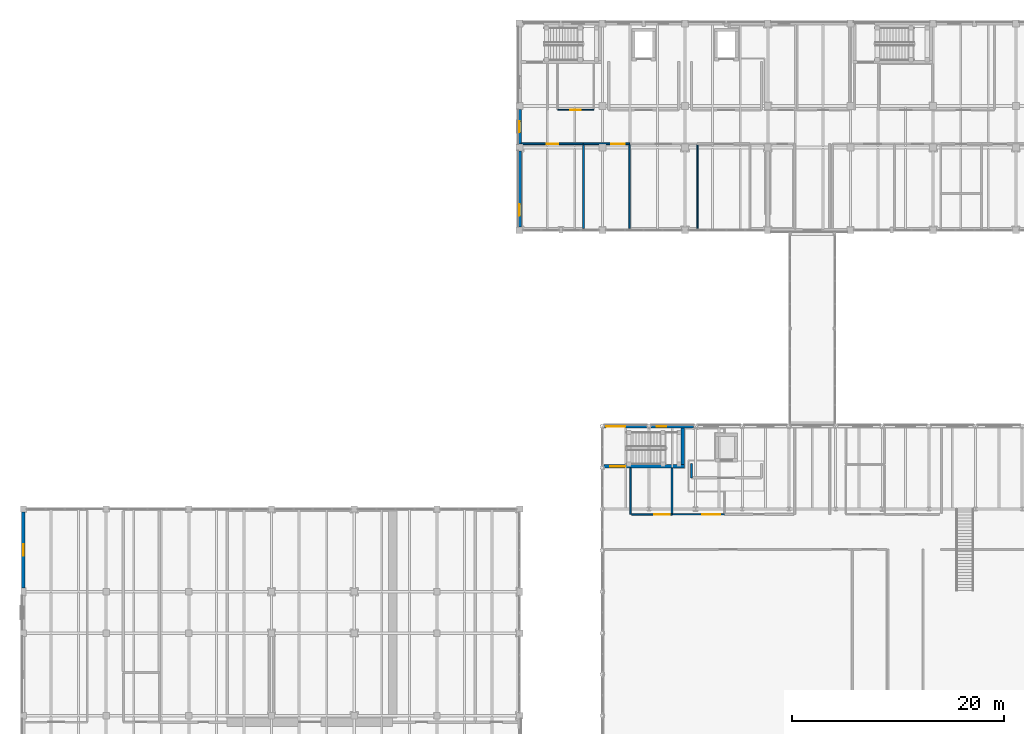
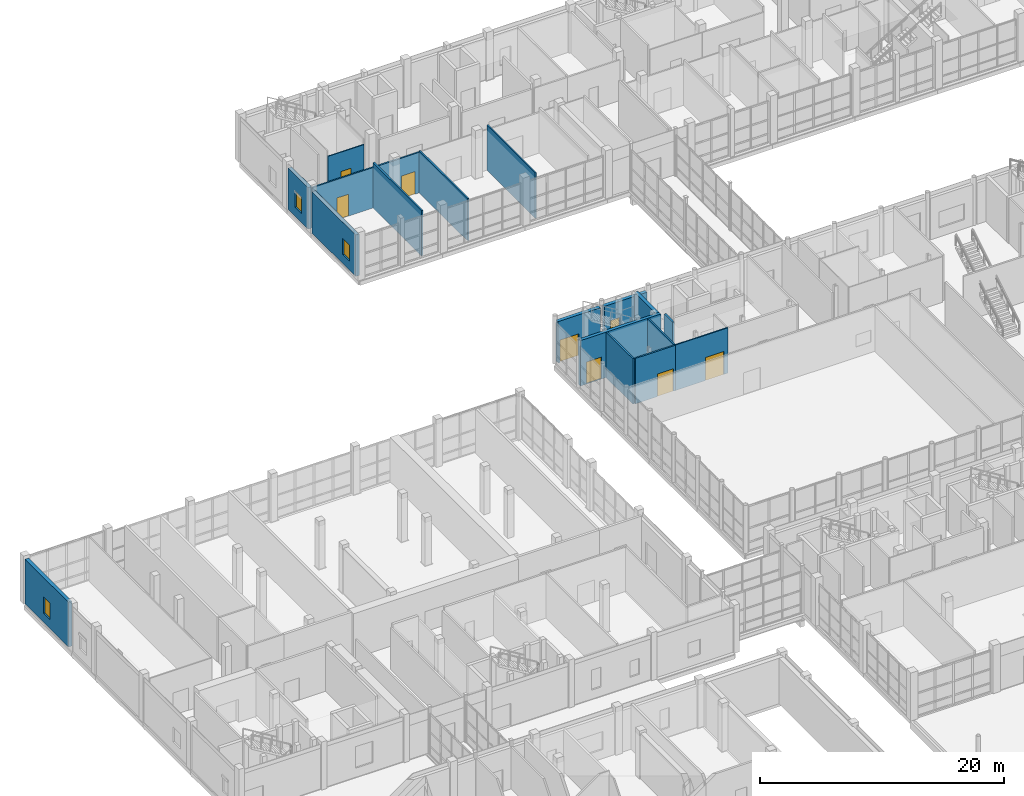
# One storey, part 97 of 131: 18 walls, 7 doors, 4 windows, 11 openings.
"""IFC4 building model written with IfcOpenShell, lengths in metres."""

from ifc_helpers import new_model, si_unit, direction, frame, frame_2d, origin, place, context, subcontext, project, spatial, rectangle, extrude, material, layer, layer_set, type_object, element, fill, save


model = new_model("IFC4")

# Units and contexts
model_context = context("Model", 3, precision=1e-05, world=origin(), true_north=direction((0.0, 1.0)))
body_context = subcontext(model_context, "Body", "Model", "MODEL_VIEW")
ifc_project = project(units=[si_unit("LENGTHUNIT", "METRE"), si_unit("AREAUNIT", "SQUARE_METRE"), si_unit("VOLUMEUNIT", "CUBIC_METRE"), si_unit("PLANEANGLEUNIT", "RADIAN"), si_unit("MASSUNIT", "GRAM", prefix="KILO")], contexts=[model_context])

# Site, building, storey
site_placement = place(None, origin())
site = spatial("IfcSite", under=ifc_project, at=site_placement, CompositionType="ELEMENT")
building_placement = place(site_placement, origin())
building = spatial("IfcBuilding", under=site, at=building_placement, Name="Celorna Specialist Clinic", CompositionType="ELEMENT")
storey_placement = place(building_placement, origin())
storey = spatial("IfcBuildingStorey", under=building, at=storey_placement, Name="L00", CompositionType="ELEMENT", Elevation=0.0)

# Wall, opening, door
ifc_material_1 = material(Name="Pero Pinheiro Lioz limestone insulated masonry", Category="masonry")
ifc_layer_1 = layer(ifc_material_1, 0.340087890625, Name="Pero Pinheiro Lioz limestone insulated masonry")
ifc_layer_set_1 = layer_set([ifc_layer_1], Name="Pero Pinheiro Lioz limestone insulated masonry")
wall_type_1 = type_object("IfcWallType", Name="WT-07", PredefinedType="STANDARD", material=ifc_layer_set_1)
wall_1_placement = place(storey_placement, frame((54.80322265625, 78.0, 0.0), z_axis=(0.0, 0.0, 1.0), x_axis=(1.0, 0.0, 0.0)))
wall_1 = element("IfcWall", 1, at=wall_1_placement, inside=storey, type_object=wall_type_1, Name="External facade wall WT-07 #80", PredefinedType="STANDARD", context=body_context, shape_type="SweptSolid", body=[
    extrude(rectangle(XDim=3.99365234375, YDim=0.340087890625, at=frame_2d((1.996826171875, 0.0))), origin(), (0.0, 0.0, 1.0), 4.139892578125),
])
opening_1_placement = place(wall_1_placement, frame((0.15673828125, 0.0, 0.0)))
opening_1 = element("IfcOpeningElement", 2, at=opening_1_placement, cuts=wall_1, Name="Opening DR-14", PredefinedType="OPENING", context=body_context, shape_type="SweptSolid", body=[
    extrude(rectangle(XDim=1.800048828125, YDim=2.25, at=frame_2d((0.89990234375, 1.125))), frame((0.0, 0.179931640625, 0.0), z_axis=(0.0, -1.0, 0.0), x_axis=(1.0, 0.0, 0.0)), (0.0, 0.0, 1.0), 0.360107421875),
])
ifc_material_2 = material(Name="Glazed aluminium final exit double door", Category="aluminium")
door_type_1 = type_object("IfcDoorType", Name="DR-14", OperationType="DOUBLE_DOOR_SINGLE_SWING", PredefinedType="DOOR", material=ifc_material_2)
door_1_placement = place(opening_1_placement, origin())
door_1 = element("IfcDoor", 3, at=door_1_placement, inside=storey, type_object=door_type_1, Name="Pedestrian final exit E10", OperationType="DOUBLE_DOOR_SINGLE_SWING", OverallHeight=2.25, OverallWidth=1.800048828125, PredefinedType="DOOR", context=body_context, shape_type="SweptSolid", body=[
    extrude(rectangle(XDim=1.800048828125, YDim=2.25, at=frame_2d((0.89990234375, 1.125))), frame((0.0, 0.02490234375, 0.0), z_axis=(0.0, -1.0, 0.0), x_axis=(1.0, 0.0, 0.0)), (0.0, 0.0, 1.0), 0.050048828125),
])
fill(opening_1, door_1)

# Wall, opening, window
wall_2_placement = place(storey_placement, frame((59.203125, 78.0, 0.0), z_axis=(0.0, 0.0, 1.0), x_axis=(1.0, 0.0, 0.0)))
wall_2 = element("IfcWall", 4, at=wall_2_placement, inside=storey, type_object=wall_type_1, Name="External facade wall WT-07 #81", PredefinedType="STANDARD", context=body_context, shape_type="SweptSolid", body=[
    extrude(rectangle(XDim=3.99365234375, YDim=0.340087890625, at=frame_2d((1.996826171875, 0.0))), origin(), (0.0, 0.0, 1.0), 4.139892578125),
])
opening_2_placement = place(wall_2_placement, frame((0.54345703125, 0.0, 0.89990234375)))
opening_2 = element("IfcOpeningElement", 5, at=opening_2_placement, cuts=wall_2, Name="Opening WN-01", PredefinedType="OPENING", context=body_context, shape_type="SweptSolid", body=[
    extrude(rectangle(XDim=0.89990234375, YDim=1.60009765625, at=frame_2d((0.449951171875, 0.800048828125))), frame((0.0, 0.179931640625, 0.0), z_axis=(0.0, -1.0, 0.0), x_axis=(1.0, 0.0, 0.0)), (0.0, 0.0, 1.0), 0.360107421875),
])
ifc_material_3 = material(Name="Thermally broken aluminium triple-glazed window", Category="aluminium")
window_type_1 = type_object("IfcWindowType", Name="WN-01", PartitioningType="SINGLE_PANEL", PredefinedType="WINDOW", material=ifc_material_3)
window_1_placement = place(opening_2_placement, origin())
window_1 = element("IfcWindow", 6, at=window_1_placement, inside=storey, type_object=window_type_1, Name="Facade window WN-01 #1", OverallHeight=1.60009765625, OverallWidth=0.89990234375, PartitioningType="SINGLE_PANEL", PredefinedType="WINDOW", context=body_context, shape_type="SweptSolid", body=[
    extrude(rectangle(XDim=0.89990234375, YDim=1.60009765625, at=frame_2d((0.449951171875, 0.800048828125))), frame((0.0, 0.030029296875, 0.0), z_axis=(0.0, -1.0, 0.0), x_axis=(1.0, 0.0, 0.0)), (0.0, 0.0, 1.0), 0.06005859375),
])
fill(opening_2, window_1)

wall_3_placement = place(storey_placement, frame((0.0, 62.77490234375, 0.0), z_axis=(0.0, 0.0, 1.0), x_axis=(0.0, 1.0, 0.0)))
wall_3 = element("IfcWall", 7, at=wall_3_placement, inside=storey, type_object=wall_type_1, Name="External facade wall WT-07 #112", PredefinedType="STANDARD", context=body_context, shape_type="SweptSolid", body=[
    extrude(rectangle(XDim=7.125, YDim=0.340087890625, at=frame_2d((3.5625, 0.0))), origin(), (0.0, 0.0, 1.0), 4.4599609375),
])
opening_3_placement = place(wall_3_placement, frame((3.03759765625, 0.0, 0.89990234375)))
opening_3 = element("IfcOpeningElement", 8, at=opening_3_placement, cuts=wall_3, Name="Opening WN-21", PredefinedType="OPENING", context=body_context, shape_type="SweptSolid", body=[
    extrude(rectangle(XDim=1.050048828125, YDim=1.64990234375, at=frame_2d((0.52490234375, 0.824951171875))), frame((0.0, 0.179931640625, 0.0), z_axis=(0.0, -1.0, 0.0), x_axis=(1.0, 0.0, 0.0)), (0.0, 0.0, 1.0), 0.360107421875),
])
window_type_2 = type_object("IfcWindowType", Name="WN-21", PartitioningType="SINGLE_PANEL", PredefinedType="WINDOW", material=ifc_material_3)
window_2_placement = place(opening_3_placement, origin())
window_2 = element("IfcWindow", 9, at=window_2_placement, inside=storey, type_object=window_type_2, Name="Facade window WN-21 #27", OverallHeight=1.64990234375, OverallWidth=1.050048828125, PartitioningType="SINGLE_PANEL", PredefinedType="WINDOW", context=body_context, shape_type="SweptSolid", body=[
    extrude(rectangle(XDim=1.050048828125, YDim=1.64990234375, at=frame_2d((0.52490234375, 0.824951171875))), frame((0.0, 0.030029296875, 0.0), z_axis=(0.0, -1.0, 0.0), x_axis=(1.0, 0.0, 0.0)), (0.0, 0.0, 1.0), 0.06005859375),
])
fill(opening_3, window_2)

wall_4_placement = place(storey_placement, frame((46.800048828125, 96.824951171875, 0.0), z_axis=(0.0, 0.0, 1.0), x_axis=(0.0, 1.0, 0.0)))
wall_4 = element("IfcWall", 10, at=wall_4_placement, inside=storey, type_object=wall_type_1, Name="External facade wall WT-07 #181", PredefinedType="STANDARD", context=body_context, shape_type="SweptSolid", body=[
    extrude(rectangle(XDim=7.150146484375, YDim=0.340087890625, at=frame_2d((3.5751953125, 0.0))), origin(), (0.0, 0.0, 1.0), 4.139892578125),
])
opening_4_placement = place(wall_4_placement, frame((1.0224609375, 0.0, 0.89990234375)))
opening_4 = element("IfcOpeningElement", 11, at=opening_4_placement, cuts=wall_4, Name="Opening WN-03", PredefinedType="OPENING", context=body_context, shape_type="SweptSolid", body=[
    extrude(rectangle(XDim=1.10009765625, YDim=1.60009765625, at=frame_2d((0.550048828125, 0.800048828125))), frame((0.0, 0.179931640625, 0.0), z_axis=(0.0, -1.0, 0.0), x_axis=(1.0, 0.0, 0.0)), (0.0, 0.0, 1.0), 0.360107421875),
])
window_type_3 = type_object("IfcWindowType", Name="WN-03", PartitioningType="SINGLE_PANEL", PredefinedType="WINDOW", material=ifc_material_3)
window_3_placement = place(opening_4_placement, origin())
window_3 = element("IfcWindow", 12, at=window_3_placement, inside=storey, type_object=window_type_3, Name="Facade window WN-03 #73", OverallHeight=1.60009765625, OverallWidth=1.10009765625, PartitioningType="SINGLE_PANEL", PredefinedType="WINDOW", context=body_context, shape_type="SweptSolid", body=[
    extrude(rectangle(XDim=1.10009765625, YDim=1.60009765625, at=frame_2d((0.550048828125, 0.800048828125))), frame((0.0, 0.030029296875, 0.0), z_axis=(0.0, -1.0, 0.0), x_axis=(1.0, 0.0, 0.0)), (0.0, 0.0, 1.0), 0.06005859375),
])
fill(opening_4, window_3)

wall_5_placement = place(storey_placement, frame((46.800048828125, 104.625, 0.0), z_axis=(0.0, 0.0, 1.0), x_axis=(0.0, 1.0, 0.0)))
wall_5 = element("IfcWall", 13, at=wall_5_placement, inside=storey, type_object=wall_type_1, Name="External facade wall WT-07 #182", PredefinedType="STANDARD", context=body_context, shape_type="SweptSolid", body=[
    extrude(rectangle(XDim=3.25, YDim=0.340087890625, at=frame_2d((1.625, 0.0))), origin(), (0.0, 0.0, 1.0), 4.139892578125),
])
opening_5_placement = place(wall_5_placement, frame((1.10009765625, 0.0, 0.89990234375)))
opening_5 = element("IfcOpeningElement", 14, at=opening_5_placement, cuts=wall_5, Name="Opening WN-21", PredefinedType="OPENING", context=body_context, shape_type="SweptSolid", body=[
    extrude(rectangle(XDim=1.050048828125, YDim=1.64990234375, at=frame_2d((0.52490234375, 0.824951171875))), frame((0.0, 0.179931640625, 0.0), z_axis=(0.0, -1.0, 0.0), x_axis=(1.0, 0.0, 0.0)), (0.0, 0.0, 1.0), 0.360107421875),
])
window_4_placement = place(opening_5_placement, origin())
window_4 = element("IfcWindow", 15, at=window_4_placement, inside=storey, type_object=window_type_2, Name="Facade window WN-21 #74", OverallHeight=1.64990234375, OverallWidth=1.050048828125, PartitioningType="SINGLE_PANEL", PredefinedType="WINDOW", context=body_context, shape_type="SweptSolid", body=[
    extrude(rectangle(XDim=1.050048828125, YDim=1.64990234375, at=frame_2d((0.52490234375, 0.824951171875))), frame((0.0, 0.030029296875, 0.0), z_axis=(0.0, -1.0, 0.0), x_axis=(1.0, 0.0, 0.0)), (0.0, 0.0, 1.0), 0.06005859375),
])
fill(opening_5, window_4)

# Wall, opening, door
ifc_material_4 = material(Name="Concrete C35/45", Category="concrete")
ifc_layer_2 = layer(ifc_material_4, 0.300048828125, Name="Concrete C35/45")
ifc_layer_set_2 = layer_set([ifc_layer_2], Name="Concrete C35/45")
wall_type_2 = type_object("IfcWallType", Name="WT-08", PredefinedType="SHEAR", material=ifc_layer_set_2)
wall_6_placement = place(storey_placement, frame((54.75, 74.22998046875, 0.0), z_axis=(0.0, 0.0, 1.0), x_axis=(1.0, 0.0, 0.0)))
wall_6 = element("IfcWall", 16, at=wall_6_placement, inside=storey, type_object=wall_type_2, Name="Stair ST-10 RC core wall L00 south", PredefinedType="SHEAR", context=body_context, shape_type="SweptSolid", body=[
    extrude(rectangle(XDim=7.590087890625, YDim=0.300048828125, at=frame_2d((3.794921875, 0.0))), origin(), (0.0, 0.0, 1.0), 4.5400390625),
])
opening_6_placement = place(wall_6_placement, frame((0.590087890625, 0.0, 0.0)))
opening_6 = element("IfcOpeningElement", 17, at=opening_6_placement, cuts=wall_6, Name="Opening DR-10", PredefinedType="OPENING", context=body_context, shape_type="SweptSolid", body=[
    extrude(rectangle(XDim=1.39990234375, YDim=2.199951171875, at=frame_2d((0.699951171875, 1.10009765625))), frame((0.0, 0.159912109375, 0.0), z_axis=(0.0, -1.0, 0.0), x_axis=(1.0, 0.0, 0.0)), (0.0, 0.0, 1.0), 0.320068359375),
])
ifc_material_5 = material(Name="Protected exit stair fire door")
door_type_2 = type_object("IfcDoorType", Name="DR-10", OperationType="NOTDEFINED", PredefinedType="DOOR", material=ifc_material_5)
door_2_placement = place(opening_6_placement, origin())
door_2 = element("IfcDoor", 18, at=door_2_placement, inside=storey, type_object=door_type_2, Name="Protected exit stair door ST-10 L00", OperationType="SINGLE_SWING_RIGHT", OverallHeight=2.199951171875, OverallWidth=1.39990234375, PredefinedType="DOOR", context=body_context, shape_type="SweptSolid", body=[
    extrude(rectangle(XDim=1.39990234375, YDim=2.199951171875, at=frame_2d((0.699951171875, 1.10009765625))), frame((0.0, 0.02490234375, 0.0), z_axis=(0.0, -1.0, 0.0), x_axis=(1.0, 0.0, 0.0)), (0.0, 0.0, 1.0), 0.050048828125),
])
fill(opening_6, door_2)

# Walls
wall_7_placement = place(storey_placement, frame((62.18994140625, 74.3798828125, 0.0), z_axis=(0.0, 0.0, 1.0), x_axis=(0.0, 1.0, 0.0)))
element("IfcWall", 19, at=wall_7_placement, inside=storey, type_object=wall_type_2, Name="Stair ST-10 RC core wall L00 east", PredefinedType="SHEAR", context=body_context, shape_type="SweptSolid", body=[
    extrude(rectangle(XDim=3.47021484375, YDim=0.300048828125, at=frame_2d((1.735107421875, 0.0))), origin(), (0.0, 0.0, 1.0), 4.5400390625),
])
ifc_layer_3 = layer(ifc_material_4, 0.199951171875, Name="Concrete C35/45")
ifc_layer_set_3 = layer_set([ifc_layer_3], Name="Concrete C35/45")
wall_type_3 = type_object("IfcWallType", Name="WT-12", PredefinedType="SOLIDWALL", material=ifc_layer_set_3)
wall_8_placement = place(storey_placement, frame((63.0, 74.5, 0.0), z_axis=(0.0, 0.0, 1.0), x_axis=(0.0, -1.0, 0.0)))
element("IfcWall", 20, at=wall_8_placement, inside=storey, type_object=wall_type_3, Name="Lift lobby wall LF-08 L00", PredefinedType="SOLIDWALL", context=body_context, shape_type="SweptSolid", body=[
    extrude(rectangle(XDim=1.35009765625, YDim=0.199951171875, at=frame_2d((0.675048828125, 0.0))), origin(), (0.0, 0.0, 1.0), 4.090087890625),
])
ifc_material_6 = material(Name="Fire-rated gypsum board partition")
ifc_layer_4 = layer(ifc_material_6, 0.14990234375, Name="Fire-rated gypsum board partition")
ifc_layer_set_4 = layer_set([ifc_layer_4], Name="Fire-rated gypsum board partition")
wall_type_4 = type_object("IfcWallType", Name="WT-14", PredefinedType="PARTITIONING", material=ifc_layer_set_4)
wall_9_placement = place(storey_placement, frame((57.239990234375, 69.699951171875, 0.0), z_axis=(0.0, 0.0, 1.0), x_axis=(0.0, 1.0, 0.0)))
element("IfcWall", 21, at=wall_9_placement, inside=storey, type_object=wall_type_4, Name="Corridor spur partition WT-14", PredefinedType="PARTITIONING", context=body_context, shape_type="SweptSolid", body=[
    extrude(rectangle(XDim=4.380126953125, YDim=0.14990234375, at=frame_2d((2.18994140625, 0.0))), origin(), (0.0, 0.0, 1.0), 4.5400390625),
])

# Wall, opening, door
wall_10_placement = place(storey_placement, frame((57.360107421875, 69.699951171875, 0.0), z_axis=(0.0, 0.0, 1.0), x_axis=(1.0, 0.0, 0.0)))
wall_10 = element("IfcWall", 22, at=wall_10_placement, inside=storey, type_object=wall_type_4, Name="Interior partition WT-14 L00-019", PredefinedType="PARTITIONING", context=body_context, shape_type="SweptSolid", body=[
    extrude(rectangle(XDim=3.809814453125, YDim=0.14990234375, at=frame_2d((1.90478515625, 0.0))), origin(), (0.0, 0.0, 1.0), 4.5400390625),
])
opening_7_placement = place(wall_10_placement, frame((2.117431640625, 0.0, 0.0)))
opening_7 = element("IfcOpeningElement", 23, at=opening_7_placement, cuts=wall_10, Name="Opening DR-23", PredefinedType="OPENING", context=body_context, shape_type="SweptSolid", body=[
    extrude(rectangle(XDim=1.47998046875, YDim=2.25, at=frame_2d((0.739990234375, 1.125))), frame((0.0, 0.0849609375, 0.0), z_axis=(0.0, -1.0, 0.0), x_axis=(1.0, 0.0, 0.0)), (0.0, 0.0, 1.0), 0.169921875),
])
ifc_material_7 = material(Name="Double leaf treatment room door")
door_type_3 = type_object("IfcDoorType", Name="DR-23", OperationType="DOUBLE_DOOR_SINGLE_SWING", PredefinedType="DOOR", material=ifc_material_7)
door_3_placement = place(opening_7_placement, origin())
door_3 = element("IfcDoor", 24, at=door_3_placement, inside=storey, type_object=door_type_3, Name="Dialysis Treatment Room door L00-019", OperationType="DOUBLE_DOOR_SINGLE_SWING", OverallHeight=2.25, OverallWidth=1.47998046875, PredefinedType="DOOR", context=body_context, shape_type="SweptSolid", body=[
    extrude(rectangle(XDim=1.47998046875, YDim=2.25, at=frame_2d((0.739990234375, 1.125))), frame((0.0, 0.02490234375, 0.0), z_axis=(0.0, -1.0, 0.0), x_axis=(1.0, 0.0, 0.0)), (0.0, 0.0, 1.0), 0.050048828125),
])
fill(opening_7, door_3)

wall_11_placement = place(storey_placement, frame((52.820068359375, 104.64990234375, 0.0), z_axis=(0.0, 0.0, 1.0), x_axis=(-1.0, 0.0, 0.0)))
wall_11 = element("IfcWall", 25, at=wall_11_placement, inside=storey, type_object=wall_type_4, Name="Interior partition WT-14 L00-050", PredefinedType="PARTITIONING", context=body_context, shape_type="SweptSolid", body=[
    extrude(rectangle(XDim=5.85009765625, YDim=0.14990234375, at=frame_2d((2.925048828125, 0.0))), origin(), (0.0, 0.0, 1.0), 4.0400390625),
])
opening_8_placement = place(wall_11_placement, frame((2.385009765625, 0.0, 0.0)))
opening_8 = element("IfcOpeningElement", 26, at=opening_8_placement, cuts=wall_11, Name="Opening DR-21", PredefinedType="OPENING", context=body_context, shape_type="SweptSolid", body=[
    extrude(rectangle(XDim=1.080078125, YDim=2.199951171875, at=frame_2d((0.5400390625, 1.10009765625))), frame((0.0, 0.0849609375, 0.0), z_axis=(0.0, -1.0, 0.0), x_axis=(1.0, 0.0, 0.0)), (0.0, 0.0, 1.0), 0.169921875),
])
ifc_material_8 = material(Name="Timber outpatient suite door", Category="wood")
door_type_4 = type_object("IfcDoorType", Name="DR-21", OperationType="NOTDEFINED", PredefinedType="DOOR", material=ifc_material_8)
door_4_placement = place(opening_8_placement, origin())
door_4 = element("IfcDoor", 27, at=door_4_placement, inside=storey, type_object=door_type_4, Name="Outpatient Clinic door L00-050", OperationType="SINGLE_SWING_RIGHT", OverallHeight=2.199951171875, OverallWidth=1.080078125, PredefinedType="DOOR", context=body_context, shape_type="SweptSolid", body=[
    extrude(rectangle(XDim=1.080078125, YDim=2.199951171875, at=frame_2d((0.5400390625, 1.10009765625))), frame((0.0, 0.02490234375, 0.0), z_axis=(0.0, -1.0, 0.0), x_axis=(1.0, 0.0, 0.0)), (0.0, 0.0, 1.0), 0.050048828125),
])
fill(opening_8, door_4)

wall_12_placement = place(storey_placement, frame((57.169921875, 104.64990234375, 0.0), z_axis=(0.0, 0.0, 1.0), x_axis=(-1.0, 0.0, 0.0)))
wall_12 = element("IfcWall", 28, at=wall_12_placement, inside=storey, type_object=wall_type_4, Name="Interior partition WT-14 L00-051", PredefinedType="PARTITIONING", context=body_context, shape_type="SweptSolid", body=[
    extrude(rectangle(XDim=4.349853515625, YDim=0.14990234375, at=frame_2d((2.1748046875, 0.0))), origin(), (0.0, 0.0, 1.0), 4.0400390625),
])
opening_9_placement = place(wall_12_placement, frame((0.447509765625, 0.0, 0.0)))
opening_9 = element("IfcOpeningElement", 29, at=opening_9_placement, cuts=wall_12, Name="Opening DR-22", PredefinedType="OPENING", context=body_context, shape_type="SweptSolid", body=[
    extrude(rectangle(XDim=1.280029296875, YDim=2.25, at=frame_2d((0.64013671875, 1.125))), frame((0.0, 0.0849609375, 0.0), z_axis=(0.0, -1.0, 0.0), x_axis=(1.0, 0.0, 0.0)), (0.0, 0.0, 1.0), 0.169921875),
])
ifc_material_9 = material(Name="Diagnostic procedure room door")
door_type_5 = type_object("IfcDoorType", Name="DR-22", OperationType="NOTDEFINED", PredefinedType="DOOR", material=ifc_material_9)
door_5_placement = place(opening_9_placement, origin())
door_5 = element("IfcDoor", 30, at=door_5_placement, inside=storey, type_object=door_type_5, Name="Consulting Room door L00-051", OperationType="SINGLE_SWING_LEFT", OverallHeight=2.25, OverallWidth=1.280029296875, PredefinedType="DOOR", context=body_context, shape_type="SweptSolid", body=[
    extrude(rectangle(XDim=1.280029296875, YDim=2.25, at=frame_2d((0.64013671875, 1.125))), frame((0.0, 0.02490234375, 0.0), z_axis=(0.0, -1.0, 0.0), x_axis=(1.0, 0.0, 0.0)), (0.0, 0.0, 1.0), 0.050048828125),
])
fill(opening_9, door_5)

# Walls
wall_13_placement = place(storey_placement, frame((61.169921875, 69.77490234375, 0.0), z_axis=(0.0, 0.0, 1.0), x_axis=(0.0, 1.0, 0.0)))
element("IfcWall", 31, at=wall_13_placement, inside=storey, type_object=wall_type_4, Name="Room dividing partition WT-14 L00-019", PredefinedType="PARTITIONING", context=body_context, shape_type="SweptSolid", body=[
    extrude(rectangle(XDim=4.30517578125, YDim=0.14990234375, at=frame_2d((2.152587890625, 0.0))), origin(), (0.0, 0.0, 1.0), 4.5400390625),
])
wall_14_placement = place(storey_placement, frame((52.820068359375, 96.669921875, 0.0), z_axis=(0.0, 0.0, 1.0), x_axis=(0.0, 1.0, 0.0)))
element("IfcWall", 32, at=wall_14_placement, inside=storey, type_object=wall_type_4, Name="Room dividing partition WT-14 L00-050", PredefinedType="PARTITIONING", context=body_context, shape_type="SweptSolid", body=[
    extrude(rectangle(XDim=7.905029296875, YDim=0.14990234375, at=frame_2d((3.95263671875, 0.0))), origin(), (0.0, 0.0, 1.0), 4.5400390625),
])
wall_15_placement = place(storey_placement, frame((57.169921875, 96.669921875, 0.0), z_axis=(0.0, 0.0, 1.0), x_axis=(0.0, 1.0, 0.0)))
element("IfcWall", 33, at=wall_15_placement, inside=storey, type_object=wall_type_4, Name="Room dividing partition WT-14 L00-051", PredefinedType="PARTITIONING", context=body_context, shape_type="SweptSolid", body=[
    extrude(rectangle(XDim=7.905029296875, YDim=0.14990234375, at=frame_2d((3.95263671875, 0.0))), origin(), (0.0, 0.0, 1.0), 4.2099609375),
])

# Wall, opening, door
ifc_material_10 = material(Name="Acoustic gypsum board partition")
ifc_layer_5 = layer(ifc_material_10, 0.1201171875, Name="Acoustic gypsum board partition")
ifc_layer_set_5 = layer_set([ifc_layer_5], Name="Acoustic gypsum board partition")
wall_type_5 = type_object("IfcWallType", Name="WT-15", PredefinedType="PARTITIONING", material=ifc_layer_set_5)
wall_16_placement = place(storey_placement, frame((61.169921875, 69.699951171875, 0.0), z_axis=(0.0, 0.0, 1.0), x_axis=(1.0, 0.0, 0.0)))
wall_16 = element("IfcWall", 34, at=wall_16_placement, inside=storey, type_object=wall_type_5, Name="Interior partition WT-15 L00-020", PredefinedType="PARTITIONING", context=body_context, shape_type="SweptSolid", body=[
    extrude(rectangle(XDim=4.9501953125, YDim=0.1201171875, at=frame_2d((2.47509765625, 0.0))), origin(), (0.0, 0.0, 1.0), 4.5400390625),
])
opening_10_placement = place(wall_16_placement, frame((2.8525390625, 0.0, 0.0)))
opening_10 = element("IfcOpeningElement", 35, at=opening_10_placement, cuts=wall_16, Name="Opening DR-24", PredefinedType="OPENING", context=body_context, shape_type="SweptSolid", body=[
    extrude(rectangle(XDim=1.719970703125, YDim=2.300048828125, at=frame_2d((0.85986328125, 1.14990234375))), frame((0.0, 0.070068359375, 0.0), z_axis=(0.0, -1.0, 0.0), x_axis=(1.0, 0.0, 0.0)), (0.0, 0.0, 1.0), 0.14013671875),
])
ifc_material_11 = material(Name="Double leaf clinical waiting door")
door_type_6 = type_object("IfcDoorType", Name="DR-24", OperationType="DOUBLE_DOOR_SINGLE_SWING", PredefinedType="DOOR", material=ifc_material_11)
door_6_placement = place(opening_10_placement, origin())
door_6 = element("IfcDoor", 36, at=door_6_placement, inside=storey, type_object=door_type_6, Name="Oncology Nurse Station door L00-020", OperationType="DOUBLE_DOOR_SINGLE_SWING", OverallHeight=2.300048828125, OverallWidth=1.719970703125, PredefinedType="DOOR", context=body_context, shape_type="SweptSolid", body=[
    extrude(rectangle(XDim=1.719970703125, YDim=2.300048828125, at=frame_2d((0.85986328125, 1.14990234375))), frame((0.0, 0.02490234375, 0.0), z_axis=(0.0, -1.0, 0.0), x_axis=(1.0, 0.0, 0.0)), (0.0, 0.0, 1.0), 0.050048828125),
])
fill(opening_10, door_6)

# Wall
wall_17_placement = place(storey_placement, frame((63.570068359375, 96.669921875, 0.0), z_axis=(0.0, 0.0, 1.0), x_axis=(0.0, 1.0, 0.0)))
element("IfcWall", 37, at=wall_17_placement, inside=storey, type_object=wall_type_5, Name="Room dividing partition WT-15 L00-052", PredefinedType="PARTITIONING", context=body_context, shape_type="SweptSolid", body=[
    extrude(rectangle(XDim=7.905029296875, YDim=0.1201171875, at=frame_2d((3.95263671875, 0.0))), origin(), (0.0, 0.0, 1.0), 4.5400390625),
])

# Wall, opening, door
ifc_material_12 = material(Name="Moisture-resistant gypsum partition")
ifc_layer_6 = layer(ifc_material_12, 0.10009765625, Name="Moisture-resistant gypsum partition")
ifc_layer_set_6 = layer_set([ifc_layer_6], Name="Moisture-resistant gypsum partition")
wall_type_6 = type_object("IfcWallType", Name="WT-16", PredefinedType="PARTITIONING", material=ifc_layer_set_6)
wall_18_placement = place(storey_placement, frame((50.3701171875, 107.85009765625, 0.0), z_axis=(0.0, 0.0, 1.0), x_axis=(1.0, 0.0, 0.0)))
wall_18 = element("IfcWall", 38, at=wall_18_placement, inside=storey, type_object=wall_type_6, Name="Interior partition WT-16 L00-071", PredefinedType="PARTITIONING", context=body_context, shape_type="SweptSolid", body=[
    extrude(rectangle(XDim=3.39990234375, YDim=0.10009765625, at=frame_2d((1.699951171875, 0.0))), origin(), (0.0, 0.0, 1.0), 4.0400390625),
])
opening_11_placement = place(wall_18_placement, frame((1.22509765625, 0.0, 0.0)))
opening_11 = element("IfcOpeningElement", 39, at=opening_11_placement, cuts=wall_18, Name="Opening DR-03", PredefinedType="OPENING", context=body_context, shape_type="SweptSolid", body=[
    extrude(rectangle(XDim=0.949951171875, YDim=2.10009765625, at=frame_2d((0.47509765625, 1.050048828125))), frame((0.0, 0.06005859375, 0.0), z_axis=(0.0, -1.0, 0.0), x_axis=(1.0, 0.0, 0.0)), (0.0, 0.0, 1.0), 0.1201171875),
])
ifc_material_13 = material(Name="Moisture-resistant accessible WC door")
door_type_7 = type_object("IfcDoorType", Name="DR-03", OperationType="NOTDEFINED", PredefinedType="DOOR", material=ifc_material_13)
door_7_placement = place(opening_11_placement, origin())
door_7 = element("IfcDoor", 40, at=door_7_placement, inside=storey, type_object=door_type_7, Name="Staff WC door L00-071", OperationType="SINGLE_SWING_LEFT", OverallHeight=2.10009765625, OverallWidth=0.949951171875, PredefinedType="DOOR", context=body_context, shape_type="SweptSolid", body=[
    extrude(rectangle(XDim=0.949951171875, YDim=2.10009765625, at=frame_2d((0.47509765625, 1.050048828125))), frame((0.0, 0.02490234375, 0.0), z_axis=(0.0, -1.0, 0.0), x_axis=(1.0, 0.0, 0.0)), (0.0, 0.0, 1.0), 0.050048828125),
])
fill(opening_11, door_7)

save(model, "model.ifc")
